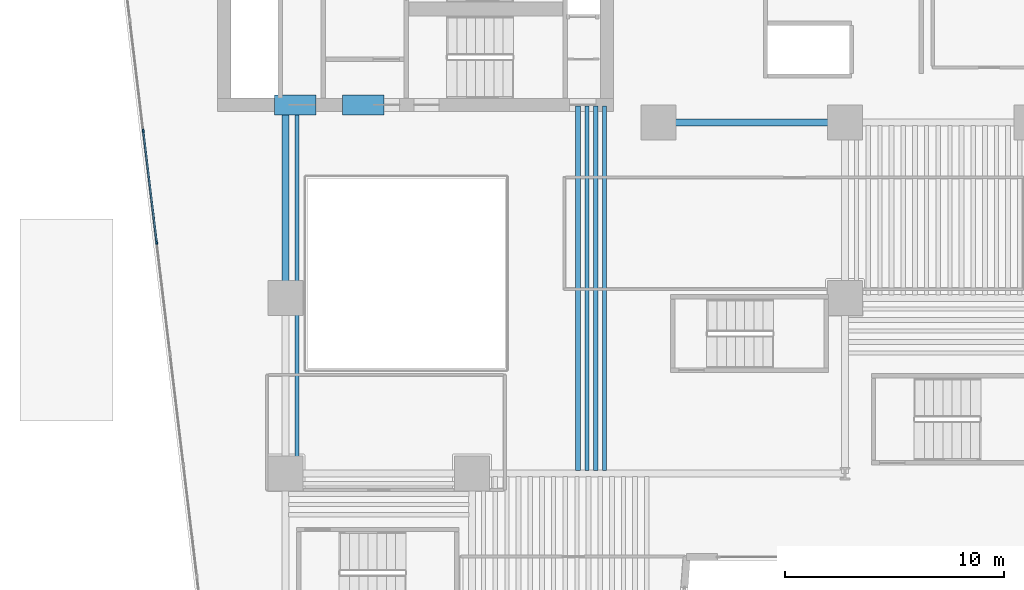
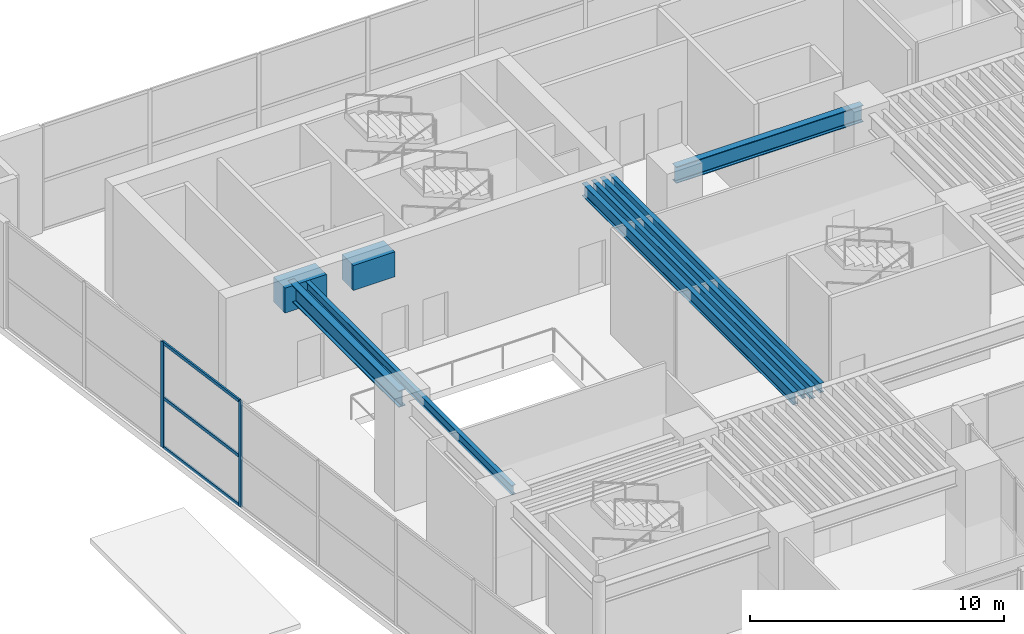
# One storey, part 3 of 17: 9 beams, 5 members, 1 element without a shape of its own.
"""IFC4 building model written with IfcOpenShell, lengths in metres."""

from ifc_helpers import new_model, si_unit, direction, frame, origin, origin_2d, place, context, subcontext, project, spatial, rectangle, i_section, extrude, material, layer, layer_set, material_profile, profile_set, type_object, element, aggregate, save


model = new_model("IFC4")

# Units and contexts
model_context = context("Model", 3, precision=1e-05, world=origin(), true_north=direction((0.0, 1.0)))
body_context = subcontext(model_context, "Body", "Model", "MODEL_VIEW")
ifc_project = project(units=[si_unit("LENGTHUNIT", "METRE"), si_unit("AREAUNIT", "SQUARE_METRE"), si_unit("VOLUMEUNIT", "CUBIC_METRE"), si_unit("PLANEANGLEUNIT", "RADIAN"), si_unit("MASSUNIT", "GRAM", prefix="KILO")], contexts=[model_context])

# Site, building, storey
site_placement = place(None, origin())
site = spatial("IfcSite", under=ifc_project, at=site_placement, CompositionType="ELEMENT")
building_placement = place(site_placement, origin())
building = spatial("IfcBuilding", under=site, at=building_placement, Name="Caeloran Harvest Quay", CompositionType="ELEMENT")
storey_placement = place(building_placement, frame((0.0, 0.0, 5.39990234375)))
storey = spatial("IfcBuildingStorey", under=building, at=storey_placement, Name="L02", CompositionType="ELEMENT", Elevation=5.39990234375)

# Beams
ifc_material_1 = material(Name="Concrete C80/95", Category="concrete")
ifc_material_profile_1 = material_profile(ifc_material_1, rectangle(XDim=0.89990234375, YDim=1.199951171875, at=origin_2d()), Name="RC 900x1200")
ifc_profile_set_1 = profile_set([ifc_material_profile_1], Name="Concrete C80/95")
beam_type_1 = type_object("IfcBeamType", Name="BM-CB-1-RC_900x1200", PredefinedType="LINTEL", material=ifc_profile_set_1)
for number, where, z_axis, x_axis, name in (
    (1, (8.0, 31.800048828125, 4.47998046875), (1.0, 0.0, 0.0), (0.0, 1.0, 0.0), "L02 Core Coupling Beam 1"),
    (2, (11.10009765625, 31.800048828125, 4.47998046875), (1.0, 0.0, 0.0), (0.0, 1.0, 0.0), "L02 Core Coupling Beam 2"),
):
    element("IfcBeam", number, at=place(storey_placement, frame(where, z_axis=z_axis, x_axis=x_axis)), inside=storey, type_object=beam_type_1, Name=name, PredefinedType="LINTEL", context=body_context, shape_type="SweptSolid", body=[
        extrude(rectangle(XDim=0.89990234375, YDim=1.199951171875, at=origin_2d()), origin(), (0.0, 0.0, 1.0), 1.89990234375),
    ])
ifc_material_2 = material(Name="Steel S355J2", Category="steel")
ifc_material_profile_2 = material_profile(ifc_material_2, i_section(OverallWidth=0.300048828125, OverallDepth=0.800048828125, WebThickness=0.017578125, FlangeThickness=0.032958984375, FilletRadius=0.030029296875, at=origin_2d()), Name="HE 800 B")
ifc_profile_set_2 = profile_set([ifc_material_profile_2], Name="Steel S355J2")
beam_type_2 = type_object("IfcBeamType", Name="BM-PG-1-HE_800_B", PredefinedType="BEAM", material=ifc_profile_set_2)
beam_1_placement = place(storey_placement, frame((25.5, 31.0, 4.68017578125), z_axis=(1.0, 0.0, 0.0), x_axis=(0.0, 1.0, 0.0)))
element("IfcBeam", 3, at=beam_1_placement, inside=storey, type_object=beam_type_2, Name="L02 Primary East-West Girder Y=31.0", PredefinedType="BEAM", context=body_context, shape_type="SweptSolid", body=[
    extrude(i_section(OverallWidth=0.300048828125, OverallDepth=0.800048828125, WebThickness=0.017578125, FlangeThickness=0.032958984375, FilletRadius=0.030029296875, at=origin_2d()), origin(), (0.0, 0.0, 1.0), 8.5),
])
beam_2_placement = place(storey_placement, frame((8.5, 23.0, 4.68017578125), z_axis=(0.0, 1.0, 0.0), x_axis=(-1.0, 0.0, 0.0)))
element("IfcBeam", 4, at=beam_2_placement, inside=storey, type_object=beam_type_2, Name="L02 Core South Tie Girder X=8.5", PredefinedType="BEAM", context=body_context, shape_type="SweptSolid", body=[
    extrude(i_section(OverallWidth=0.300048828125, OverallDepth=0.800048828125, WebThickness=0.017578125, FlangeThickness=0.032958984375, FilletRadius=0.030029296875, at=origin_2d()), origin(), (0.0, 0.0, 1.0), 8.75),
])
ifc_material_profile_3 = material_profile(ifc_material_2, i_section(OverallWidth=0.219970703125, OverallDepth=0.60009765625, WebThickness=0.011962890625, FlangeThickness=0.01904296875, FilletRadius=0.02392578125, at=origin_2d()), Name="IPE 600")
ifc_profile_set_3 = profile_set([ifc_material_profile_3], Name="Steel S355J2")
beam_type_3 = type_object("IfcBeamType", Name="BM-SB-1-IPE_600", PredefinedType="JOIST", material=ifc_profile_set_3)
for number, where, z_axis, x_axis, name in (
    (5, (21.83740234375, 15.14501953125, 4.780029296875), (0.0, 1.0, 0.0), (-1.0, 0.0, 0.0), "L02 Secondary Composite Joist"),
    (6, (22.643798828125, 15.14501953125, 4.780029296875), (0.0, 1.0, 0.0), (-1.0, 0.0, 0.0), "L02 Secondary Composite Joist"),
):
    element("IfcBeam", number, at=place(storey_placement, frame(where, z_axis=z_axis, x_axis=x_axis)), inside=storey, type_object=beam_type_3, Name=name, PredefinedType="JOIST", context=body_context, shape_type="SweptSolid", body=[
        extrude(i_section(OverallWidth=0.219970703125, OverallDepth=0.60009765625, WebThickness=0.011962890625, FlangeThickness=0.01904296875, FilletRadius=0.02392578125, at=origin_2d()), origin(), (0.0, 0.0, 1.0), 16.60498046875),
    ])
ifc_material_profile_4 = material_profile(ifc_material_2, i_section(OverallWidth=0.18994140625, OverallDepth=0.449951171875, WebThickness=0.009521484375, FlangeThickness=0.0146484375, FilletRadius=0.02099609375, at=origin_2d()), Name="IPE 450")
ifc_profile_set_4 = profile_set([ifc_material_profile_4], Name="Steel S355J2")
beam_type_4 = type_object("IfcBeamType", Name="BM-SB-3-IPE_450", PredefinedType="JOIST", material=ifc_profile_set_4)
for number, where, z_axis, x_axis, name in (
    (7, (9.03125, 15.14501953125, 4.85498046875), (0.0, 1.0, 0.0), (-1.0, 0.0, 0.0), "L02 Secondary Composite Joist"),
    (8, (22.240478515625, 15.14501953125, 4.85498046875), (0.0, 1.0, 0.0), (-1.0, 0.0, 0.0), "L02 Secondary Composite Joist"),
    (9, (23.046875, 15.14501953125, 4.85498046875), (0.0, 1.0, 0.0), (-1.0, 0.0, 0.0), "L02 Secondary Composite Joist"),
):
    element("IfcBeam", number, at=place(storey_placement, frame(where, z_axis=z_axis, x_axis=x_axis)), inside=storey, type_object=beam_type_4, Name=name, PredefinedType="JOIST", context=body_context, shape_type="SweptSolid", body=[
        extrude(i_section(OverallWidth=0.18994140625, OverallDepth=0.449951171875, WebThickness=0.009521484375, FlangeThickness=0.0146484375, FilletRadius=0.02099609375, at=origin_2d()), origin(), (0.0, 0.0, 1.0), 16.60498046875),
    ])

# Curtain wall, members
ifc_material_3 = material(Name="Aluminium 6063-T6 and Low-E Glazing", Category="aluminium")
ifc_layer = layer(ifc_material_3, 0.179931640625, Name="Aluminium 6063-T6 and Low-E Glazing")
ifc_layer_set = layer_set([ifc_layer], Name="Aluminium 6063-T6 and Low-E Glazing")
curtain_wall_type = type_object("IfcCurtainWallType", Name="CW-SYS-CW-1", PredefinedType="USERDEFINED", material=ifc_layer_set)
curtain_wall_placement = place(storey_placement, origin())
curtain_wall = element("IfcCurtainWall", 10, at=curtain_wall_placement, inside=storey, type_object=curtain_wall_type, Name="L02 Unitised Curtain Wall CW-1 Run 3", ObjectType="CURTAIN_WALL", PredefinedType="USERDEFINED")
ifc_material_4 = material(Name="Aluminium 6063-T6", Category="aluminium")
ifc_material_profile_5 = material_profile(ifc_material_4, rectangle(XDim=0.080078125, YDim=0.179931640625, at=origin_2d()), Name="CW-MULLION-180")
ifc_profile_set_5 = profile_set([ifc_material_profile_5], Name="Aluminium 6063-T6")
member_type_1 = type_object("IfcMemberType", Name="CW-MULLION-180", PredefinedType="MULLION", material=ifc_profile_set_5)
member_1_placement = place(storey_placement, frame((2.62744140625, 25.536865234375, 0.0), z_axis=(0.0, 0.0, 1.0), x_axis=(-0.992815161093, -0.119658079138, 0.0)))
member_1 = element("IfcMember", 11, at=member_1_placement, type_object=member_type_1, Name="CW-1 mullion 5", PredefinedType="MULLION", context=body_context, shape_type="SweptSolid", body=[
    extrude(rectangle(XDim=0.080078125, YDim=0.179931640625, at=origin_2d()), origin(), (0.0, 0.0, 1.0), 5.080078125),
])
member_2_placement = place(storey_placement, frame((2.015869140625, 30.61083984375, 0.0), z_axis=(0.0, 0.0, 1.0), x_axis=(-0.992815161093, -0.119658079138, 0.0)))
member_2 = element("IfcMember", 12, at=member_2_placement, type_object=member_type_1, Name="CW-1 mullion 6", PredefinedType="MULLION", context=body_context, shape_type="SweptSolid", body=[
    extrude(rectangle(XDim=0.080078125, YDim=0.179931640625, at=origin_2d()), origin(), (0.0, 0.0, 1.0), 5.080078125),
])
ifc_material_profile_6 = material_profile(ifc_material_4, rectangle(XDim=0.080078125, YDim=0.14990234375, at=origin_2d()), Name="CW-TRANSOM-150")
ifc_profile_set_6 = profile_set([ifc_material_profile_6], Name="Aluminium 6063-T6")
member_type_2 = type_object("IfcMemberType", Name="CW-TRANSOM-150", PredefinedType="USERDEFINED", material=ifc_profile_set_6)
member_3_placement = place(storey_placement, frame((2.62255859375, 25.57666015625, 0.0400390625), z_axis=(-0.119631291469, 0.992818389284, 0.0), x_axis=(-0.992818389284, -0.119631291469, 0.0)))
member_3 = element("IfcMember", 13, at=member_3_placement, type_object=member_type_2, Name="CW-1 transom 5.1", ObjectType="TRANSOM", PredefinedType="USERDEFINED", context=body_context, shape_type="SweptSolid", body=[
    extrude(rectangle(XDim=0.080078125, YDim=0.14990234375, at=origin_2d()), origin(), (0.0, 0.0, 1.0), 5.030517578125),
])
member_4_placement = place(storey_placement, frame((2.62255859375, 25.57666015625, 2.400146484375), z_axis=(-0.119631291469, 0.992818389284, 0.0), x_axis=(-0.992818389284, -0.119631291469, 0.0)))
member_4 = element("IfcMember", 14, at=member_4_placement, type_object=member_type_2, Name="CW-1 transom 5.2", ObjectType="TRANSOM", PredefinedType="USERDEFINED", context=body_context, shape_type="SweptSolid", body=[
    extrude(rectangle(XDim=0.080078125, YDim=0.14990234375, at=origin_2d()), origin(), (0.0, 0.0, 1.0), 5.030517578125),
])
member_5_placement = place(storey_placement, frame((2.62255859375, 25.57666015625, 5.0400390625), z_axis=(-0.119631291469, 0.992818389284, 0.0), x_axis=(-0.992818389284, -0.119631291469, 0.0)))
member_5 = element("IfcMember", 15, at=member_5_placement, type_object=member_type_2, Name="CW-1 transom 5.3", ObjectType="TRANSOM", PredefinedType="USERDEFINED", context=body_context, shape_type="SweptSolid", body=[
    extrude(rectangle(XDim=0.080078125, YDim=0.14990234375, at=origin_2d()), origin(), (0.0, 0.0, 1.0), 5.030517578125),
])
aggregate(curtain_wall, [member_1, member_2, member_3, member_4, member_5])

save(model, "model.ifc")
